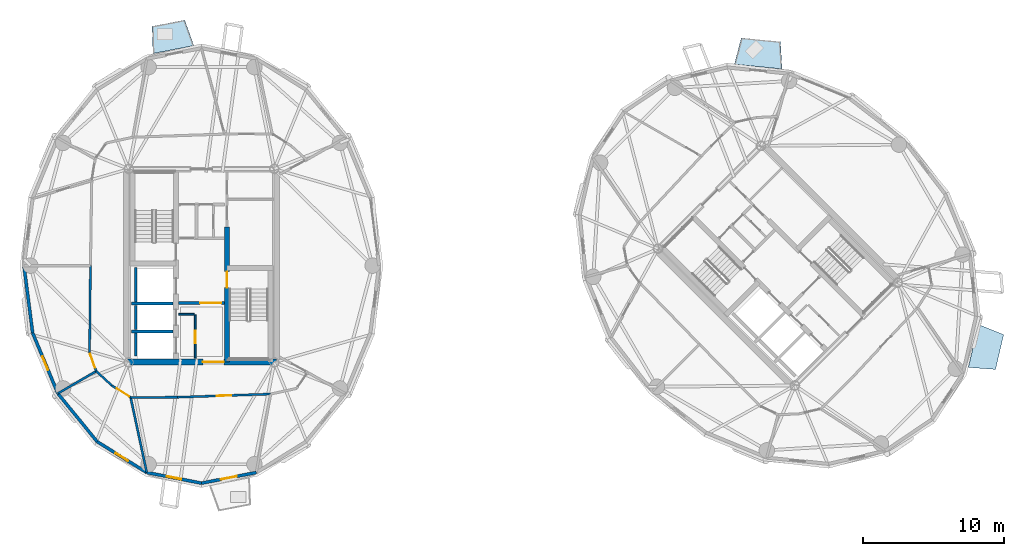
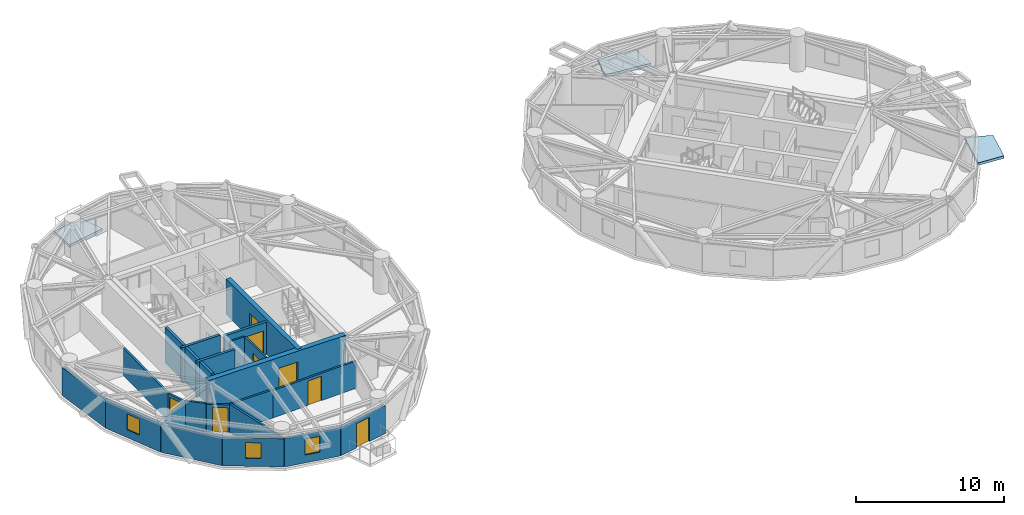
# One storey, part 8 of 17: 24 walls, 8 doors, 3 slabs, 3 windows, 11 openings.
"""IFC4 building model written with IfcOpenShell, lengths in metres."""

from ifc_helpers import new_model, si_unit, direction, frame, frame_2d, origin, place, context, subcontext, project, spatial, polyline, rectangle, outline, extrude, source, transform, mapped, material, layer, layer_set, type_object, element, fill, save


model = new_model("IFC4")

# Units and contexts
model_context = context("Model", 3, precision=1e-05, world=origin(), true_north=direction((0.0, 1.0)))
body_context = subcontext(model_context, "Body", "Model", "MODEL_VIEW")
ifc_project = project(units=[si_unit("LENGTHUNIT", "METRE"), si_unit("AREAUNIT", "SQUARE_METRE"), si_unit("VOLUMEUNIT", "CUBIC_METRE"), si_unit("PLANEANGLEUNIT", "RADIAN"), si_unit("MASSUNIT", "GRAM", prefix="KILO")], contexts=[model_context])

# Site, building, storey
site_placement = place(None, origin())
site = spatial("IfcSite", under=ifc_project, at=site_placement, CompositionType="ELEMENT")
building_placement = place(site_placement, origin())
building = spatial("IfcBuilding", under=site, at=building_placement, Name="Cununo Teusaquillo Station Towers", CompositionType="ELEMENT")
storey_placement = place(building_placement, frame((0.0, 0.0, 205.389892578125)))
storey = spatial("IfcBuildingStorey", under=building, at=storey_placement, Name="L65", CompositionType="ELEMENT", Elevation=205.389892578125)

# Slabs
ifc_material_1 = material(Name="Concrete C50/60", Category="concrete")
ifc_layer_1 = layer(ifc_material_1, 0.2099609375)
ifc_layer_set_1 = layer_set([ifc_layer_1], Name="Concrete C50/60")
slab_type = type_object("IfcSlabType", Name="SLB-BAL-210", PredefinedType="FLOOR", material=ifc_layer_set_1)
slab_1_placement = place(storey_placement, frame((0.0, 0.0, -0.2099609375)))
element("IfcSlab", 1, at=slab_1_placement, inside=storey, type_object=slab_type, Name="L65 Tower A Tree Balcony Slab 1", PredefinedType="FLOOR", context=body_context, shape_type="SweptSolid", body=[
    extrude(outline(polyline([(15.958984375, 40.150634765625), (13.0498046875, 39.58837890625), (12.98095703125, 41.525390625), (15.30126953125, 41.973876953125), (15.958984375, 40.150634765625)])), origin(), (0.0, 0.0, 1.0), 0.2099609375),
])
slab_2_placement = place(storey_placement, frame((0.0, 0.0, -0.2099609375)))
element("IfcSlab", 2, at=slab_2_placement, inside=storey, type_object=slab_type, Name="L65 Tower B Tree Balcony Slab 1", PredefinedType="FLOOR", context=body_context, shape_type="SweptSolid", body=[
    extrude(outline(polyline([(57.79248046875, 38.490478515625), (54.403564453125, 38.826416015625), (54.89111328125, 40.702392578125), (57.6826171875, 40.42578125), (57.79248046875, 38.490478515625)])), origin(), (0.0, 0.0, 1.0), 0.2099609375),
])
slab_3_placement = place(storey_placement, frame((0.0, 0.0, -0.2099609375)))
element("IfcSlab", 3, at=slab_3_placement, inside=storey, type_object=slab_type, Name="L65 Tower B Tree Balcony Slab 2", PredefinedType="FLOOR", context=body_context, shape_type="SweptSolid", body=[
    extrude(outline(polyline([(71.04248046875, 17.263671875), (71.755615234375, 20.319091796875), (73.55224609375, 19.591796875), (72.9755859375, 17.12060546875), (71.04248046875, 17.263671875)])), origin(), (0.0, 0.0, 1.0), 0.2099609375),
])

# Walls
ifc_material_2 = material(Name="Concrete C50/60", Category="concrete")
ifc_layer_2 = layer(ifc_material_2, 0.199951171875)
ifc_layer_set_2 = layer_set([ifc_layer_2], Name="Concrete C50/60")
wall_type_1 = type_object("IfcWallType", Name="WL-CORE-200", PredefinedType="SHEAR", material=ifc_layer_set_2)
wall_1_placement = place(storey_placement, frame((11.52001953125, 21.800048828125, 0.0), z_axis=(0.0, 0.0, 1.0), x_axis=(1.0, 0.0, 0.0)))
element("IfcWall", 4, at=wall_1_placement, inside=storey, type_object=wall_type_1, Name="L65 Tower A Firefighting Lift Shaft South Shear Wall", PredefinedType="SHEAR", context=body_context, shape_type="SweptSolid", body=[
    extrude(rectangle(XDim=2.969970703125, YDim=0.199951171875, at=frame_2d((1.48486328125, 0.0))), origin(), (0.0, 0.0, 1.0), 2.91015625),
])
wall_2_placement = place(storey_placement, frame((11.820068359375, 21.919921875, 0.0), z_axis=(0.0, 0.0, 1.0), x_axis=(0.0, 1.0, 0.0)))
element("IfcWall", 5, at=wall_2_placement, inside=storey, type_object=wall_type_1, Name="L65 Tower A Firefighting Lift Shaft Rear Shear Wall", PredefinedType="SHEAR", context=body_context, shape_type="SweptSolid", body=[
    extrude(rectangle(XDim=2.440185546875, YDim=0.199951171875, at=frame_2d((1.22021484375, 0.0))), origin(), (0.0, 0.0, 1.0), 2.91015625),
])
wall_3_placement = place(storey_placement, frame((11.52001953125, 19.824951171875, 0.0), z_axis=(0.0, 0.0, 1.0), x_axis=(1.0, 0.0, 0.0)))
element("IfcWall", 6, at=wall_3_placement, inside=storey, type_object=wall_type_1, Name="L65 Tower A High-Rise Lift Hoistway Divider Shear Wall", PredefinedType="SHEAR", context=body_context, shape_type="SweptSolid", body=[
    extrude(rectangle(XDim=2.969970703125, YDim=0.199951171875, at=frame_2d((1.48486328125, 0.0))), origin(), (0.0, 0.0, 1.0), 2.91015625),
])
wall_4_placement = place(storey_placement, frame((11.820068359375, 19.945068359375, 0.0), z_axis=(0.0, 0.0, 1.0), x_axis=(0.0, 1.0, 0.0)))
element("IfcWall", 7, at=wall_4_placement, inside=storey, type_object=wall_type_1, Name="L65 Tower A High-Rise Lift 2 Shaft Rear Shear Wall", PredefinedType="SHEAR", context=body_context, shape_type="SweptSolid", body=[
    extrude(rectangle(XDim=1.73486328125, YDim=0.199951171875, at=frame_2d((0.867431640625, 0.0))), origin(), (0.0, 0.0, 1.0), 2.91015625),
])
wall_5_placement = place(storey_placement, frame((11.820068359375, 18.070068359375, 0.0), z_axis=(0.0, 0.0, 1.0), x_axis=(0.0, 1.0, 0.0)))
element("IfcWall", 8, at=wall_5_placement, inside=storey, type_object=wall_type_1, Name="L65 Tower A High-Rise Lift 1 Shaft Rear Shear Wall", PredefinedType="SHEAR", context=body_context, shape_type="SweptSolid", body=[
    extrude(rectangle(XDim=1.635009765625, YDim=0.199951171875, at=frame_2d((0.8173828125, 0.0))), origin(), (0.0, 0.0, 1.0), 2.91015625),
])

# Wall, opening, door
ifc_material_3 = material(Name="Concrete C50/60", Category="concrete")
ifc_layer_3 = layer(ifc_material_3, 0.35009765625)
ifc_layer_set_3 = layer_set([ifc_layer_3], Name="Concrete C50/60")
wall_type_2 = type_object("IfcWallType", Name="WL-CORE-350", PredefinedType="SHEAR", material=ifc_layer_set_3)
wall_6_placement = place(storey_placement, frame((18.31494140625, 17.64990234375, 0.0), z_axis=(0.0, 0.0, 1.0), x_axis=(0.0, 1.0, 0.0)))
wall_6 = element("IfcWall", 9, at=wall_6_placement, inside=storey, type_object=wall_type_2, Name="L65 Tower A Core Shear Wall IE", PredefinedType="SHEAR", context=body_context, shape_type="SweptSolid", body=[
    extrude(rectangle(XDim=9.60009765625, YDim=0.35009765625, at=frame_2d((4.800048828125, 0.0))), origin(), (0.0, 0.0, 1.0), 2.91015625),
])
shared_shape_1 = source(origin(), body_context, "Body", "SweptSolid", [
    extrude(rectangle(XDim=1.14990234375, YDim=2.02001953125, at=frame_2d((0.574951171875, 1.010009765625))), frame((0.0, 0.18505859375, 0.0), z_axis=(0.0, -1.0, 0.0), x_axis=(1.0, 0.0, 0.0)), (0.0, 0.0, 1.0), 0.3701171875),
])
opening_1_placement = place(wall_6_placement, frame((5.280029296875, 0.0, 0.0)))
opening_1 = element("IfcOpeningElement", 10, at=opening_1_placement, cuts=wall_6, Name="Opening D-ST1", PredefinedType="OPENING", context=body_context, shape_type="MappedRepresentation", body=[
    mapped(shared_shape_1, transform((0.0, 0.0, 0.0), x_axis=(1.0, 0.0, 0.0), y_axis=(0.0, 1.0, 0.0), z_axis=(0.0, 0.0, 1.0), scale=1.0)),
])
ifc_material_4 = material(Name="Galvanised fire-rated hollow steel door assembly", Category="steel")
door_type_1 = type_object("IfcDoorType", Name="DR-STAIR-1150", OperationType="NOTDEFINED", PredefinedType="DOOR", material=ifc_material_4)
shared_shape_2 = source(origin(), body_context, "Body", "SweptSolid", [
    extrude(rectangle(XDim=1.14990234375, YDim=2.02001953125, at=frame_2d((0.574951171875, 1.010009765625))), frame((0.0, 0.02490234375, 0.0), z_axis=(0.0, -1.0, 0.0), x_axis=(1.0, 0.0, 0.0)), (0.0, 0.0, 1.0), 0.050048828125),
])
door_1_placement = place(opening_1_placement, origin())
door_1 = element("IfcDoor", 11, at=door_1_placement, inside=storey, type_object=door_type_1, Name="L65 Tower A Exit Stair 2 Fire Door", OperationType="SINGLE_SWING_LEFT", OverallHeight=2.02001953125, OverallWidth=1.14990234375, PredefinedType="DOOR", context=body_context, shape_type="MappedRepresentation", body=[
    mapped(shared_shape_2, transform((0.0, 0.0, 0.0), x_axis=(1.0, 0.0, 0.0), y_axis=(0.0, 1.0, 0.0), z_axis=(0.0, 0.0, 1.0), scale=1.0)),
])
fill(opening_1, door_1)

ifc_material_5 = material(Name="Concrete C50/60", Category="concrete")
ifc_layer_4 = layer(ifc_material_5, 0.39990234375)
ifc_layer_set_4 = layer_set([ifc_layer_4], Name="Concrete C50/60")
wall_type_3 = type_object("IfcWallType", Name="WL-CORE-400", PredefinedType="SHEAR", material=ifc_layer_set_4)
wall_7_placement = place(storey_placement, frame((11.14990234375, 17.64990234375, 0.0), z_axis=(0.0, 0.0, 1.0), x_axis=(1.0, 0.0, 0.0)))
wall_7 = element("IfcWall", 12, at=wall_7_placement, inside=storey, type_object=wall_type_3, Name="L65 Tower A Core Shear Wall S", PredefinedType="SHEAR", context=body_context, shape_type="SweptSolid", body=[
    extrude(rectangle(XDim=10.7001953125, YDim=0.39990234375, at=frame_2d((5.35009765625, 0.0))), origin(), (0.0, 0.0, 1.0), 2.91015625),
])
shared_shape_3 = source(origin(), body_context, "Body", "SweptSolid", [
    extrude(rectangle(XDim=1.5, YDim=2.02001953125, at=frame_2d((0.75, 1.010009765625))), frame((0.0, 0.2099609375, 0.0), z_axis=(0.0, -1.0, 0.0), x_axis=(1.0, 0.0, 0.0)), (0.0, 0.0, 1.0), 0.419921875),
])
opening_2_placement = place(wall_7_placement, frame((5.449951171875, 0.0, 0.0)))
opening_2 = element("IfcOpeningElement", 13, at=opening_2_placement, cuts=wall_7, Name="Opening D-LB1", PredefinedType="OPENING", context=body_context, shape_type="MappedRepresentation", body=[
    mapped(shared_shape_3, transform((0.0, 0.0, 0.0), x_axis=(1.0, 0.0, 0.0), y_axis=(0.0, 1.0, 0.0), z_axis=(0.0, 0.0, 1.0), scale=1.0)),
])
ifc_material_6 = material(Name="Galvanised fire-rated hollow steel door assembly", Category="steel")
door_type_2 = type_object("IfcDoorType", Name="DR-LOBBY-1500", OperationType="DOUBLE_DOOR_SINGLE_SWING", PredefinedType="DOOR", material=ifc_material_6)
shared_shape_4 = source(origin(), body_context, "Body", "SweptSolid", [
    extrude(rectangle(XDim=1.5, YDim=2.02001953125, at=frame_2d((0.75, 1.010009765625))), frame((0.0, 0.02490234375, 0.0), z_axis=(0.0, -1.0, 0.0), x_axis=(1.0, 0.0, 0.0)), (0.0, 0.0, 1.0), 0.050048828125),
])
door_2_placement = place(opening_2_placement, origin())
door_2 = element("IfcDoor", 14, at=door_2_placement, inside=storey, type_object=door_type_2, Name="L65 Tower A South Core Lift Lobby Door", OperationType="DOUBLE_DOOR_SINGLE_SWING", OverallHeight=2.02001953125, OverallWidth=1.5, PredefinedType="DOOR", context=body_context, shape_type="MappedRepresentation", body=[
    mapped(shared_shape_4, transform((0.0, 0.0, 0.0), x_axis=(1.0, 0.0, 0.0), y_axis=(0.0, 1.0, 0.0), z_axis=(0.0, 0.0, 1.0), scale=1.0)),
])
fill(opening_2, door_2)

# Wall
ifc_material_7 = material(Name="Precast concrete C40/50", Category="concrete")
ifc_layer_5 = layer(ifc_material_7, 0.219970703125)
ifc_layer_set_5 = layer_set([ifc_layer_5], Name="Precast concrete C40/50")
wall_type_4 = type_object("IfcWallType", Name="WL-EXT-220", PredefinedType="SOLIDWALL", material=ifc_layer_set_5)
wall_8_placement = place(storey_placement, frame((4.48828125, 19.719482421875, 0.0), z_axis=(0.0, 0.0, 1.0), x_axis=(-0.128241318541, 0.991742993027, 0.0)))
element("IfcWall", 15, at=wall_8_placement, inside=storey, type_object=wall_type_4, Name="L65 Tower A Exterior Facade Wall C10", PredefinedType="SOLIDWALL", context=body_context, shape_type="SweptSolid", body=[
    extrude(rectangle(XDim=4.8203125, YDim=0.219970703125, at=frame_2d((2.41015625, 0.0))), origin(), (0.0, 0.0, 1.0), 2.322021484375),
])

# Wall, opening, window
wall_9_placement = place(storey_placement, frame((6.281982421875, 15.406982421875, 0.0), z_axis=(0.0, 0.0, 1.0), x_axis=(-0.384036305194, 0.923317993052, 0.0)))
wall_9 = element("IfcWall", 16, at=wall_9_placement, inside=storey, type_object=wall_type_4, Name="L65 Tower A Exterior Facade Wall C11", PredefinedType="SOLIDWALL", context=body_context, shape_type="SweptSolid", body=[
    extrude(rectangle(XDim=4.670654296875, YDim=0.219970703125, at=frame_2d((2.33544921875, 0.0))), origin(), (0.0, 0.0, 1.0), 2.322021484375),
])
shared_shape_5 = source(origin(), body_context, "Body", "SweptSolid", [
    extrude(rectangle(XDim=1.050048828125, YDim=1.300048828125, at=frame_2d((0.52490234375, 0.64990234375))), frame((0.0, 0.119873046875, 0.0), z_axis=(0.0, -1.0, 0.0), x_axis=(1.0, 0.0, 0.0)), (0.0, 0.0, 1.0), 0.239990234375),
])
opening_3_placement = place(wall_9_placement, frame((1.81005859375, 0.0, 0.64990234375)))
opening_3 = element("IfcOpeningElement", 17, at=opening_3_placement, cuts=wall_9, Name="Opening WN-04", PredefinedType="OPENING", context=body_context, shape_type="MappedRepresentation", body=[
    mapped(shared_shape_5, transform((0.0, 0.0, 0.0), x_axis=(1.0, 0.0, 0.0), y_axis=(0.0, 1.0, 0.0), z_axis=(0.0, 0.0, 1.0), scale=1.0)),
])
ifc_material_8 = material(Name="Operable acoustic tinted low-E double glazing", Category="glass")
window_type = type_object("IfcWindowType", Name="WIN-BAL-1050", PartitioningType="SINGLE_PANEL", PredefinedType="WINDOW", material=ifc_material_8)
shared_shape_6 = source(origin(), body_context, "Body", "SweptSolid", [
    extrude(rectangle(XDim=1.050048828125, YDim=1.300048828125, at=frame_2d((0.52490234375, 0.64990234375))), frame((0.0, 0.030029296875, 0.0), z_axis=(0.0, -1.0, 0.0), x_axis=(1.0, 0.0, 0.0)), (0.0, 0.0, 1.0), 0.06005859375),
])
window_1_placement = place(opening_3_placement, origin())
window_1 = element("IfcWindow", 18, at=window_1_placement, inside=storey, type_object=window_type, Name="L65 Tower A Facade Window C11", OverallHeight=1.300048828125, OverallWidth=1.050048828125, PartitioningType="SINGLE_PANEL", PredefinedType="WINDOW", context=body_context, shape_type="MappedRepresentation", body=[
    mapped(shared_shape_6, transform((0.0, 0.0, 0.0), x_axis=(1.0, 0.0, 0.0), y_axis=(0.0, 1.0, 0.0), z_axis=(0.0, 0.0, 1.0), scale=1.0)),
])
fill(opening_3, window_1)

# Wall
wall_10_placement = place(storey_placement, frame((9.076416015625, 11.984619140625, 0.0), z_axis=(0.0, 0.0, 1.0), x_axis=(-0.632467166636, 0.774587169483, 0.0)))
element("IfcWall", 19, at=wall_10_placement, inside=storey, type_object=wall_type_4, Name="L65 Tower A Exterior Facade Wall C12", PredefinedType="SOLIDWALL", context=body_context, shape_type="SweptSolid", body=[
    extrude(rectangle(XDim=4.418212890625, YDim=0.219970703125, at=frame_2d((2.208984375, 0.0))), origin(), (0.0, 0.0, 1.0), 2.322021484375),
])

# Wall, opening, window
wall_11_placement = place(storey_placement, frame((12.59716796875, 9.787109375, 0.0), z_axis=(0.0, 0.0, 1.0), x_axis=(-0.848318713376, 0.529485939886, 0.0)))
wall_11 = element("IfcWall", 20, at=wall_11_placement, inside=storey, type_object=wall_type_4, Name="L65 Tower A Exterior Facade Wall C13", PredefinedType="SOLIDWALL", context=body_context, shape_type="SweptSolid", body=[
    extrude(rectangle(XDim=4.150390625, YDim=0.219970703125, at=frame_2d((2.0751953125, 0.0))), origin(), (0.0, 0.0, 1.0), 2.322021484375),
])
opening_4_placement = place(wall_11_placement, frame((1.550048828125, 0.0, 0.64990234375)))
opening_4 = element("IfcOpeningElement", 21, at=opening_4_placement, cuts=wall_11, Name="Opening WN-04", PredefinedType="OPENING", context=body_context, shape_type="MappedRepresentation", body=[
    mapped(shared_shape_5, transform((0.0, 0.0, 0.0), x_axis=(1.0, 0.0, 0.0), y_axis=(0.0, 1.0, 0.0), z_axis=(0.0, 0.0, 1.0), scale=1.0)),
])
window_2_placement = place(opening_4_placement, origin())
window_2 = element("IfcWindow", 22, at=window_2_placement, inside=storey, type_object=window_type, Name="L65 Tower A Facade Window C13", OverallHeight=1.300048828125, OverallWidth=1.050048828125, PartitioningType="SINGLE_PANEL", PredefinedType="WINDOW", context=body_context, shape_type="MappedRepresentation", body=[
    mapped(shared_shape_6, transform((0.0, 0.0, 0.0), x_axis=(1.0, 0.0, 0.0), y_axis=(0.0, 1.0, 0.0), z_axis=(0.0, 0.0, 1.0), scale=1.0)),
])
fill(opening_4, window_2)

wall_12_placement = place(storey_placement, frame((16.5, 9.030029296875, 0.0), z_axis=(0.0, 0.0, 1.0), x_axis=(-0.981700307484, 0.190432419211, 0.0)))
wall_12 = element("IfcWall", 23, at=wall_12_placement, inside=storey, type_object=wall_type_4, Name="L65 Tower A Exterior Facade Wall C14", PredefinedType="SOLIDWALL", context=body_context, shape_type="SweptSolid", body=[
    extrude(rectangle(XDim=3.9755859375, YDim=0.219970703125, at=frame_2d((1.98779296875, 0.0))), origin(), (0.0, 0.0, 1.0), 2.322021484375),
])
opening_5_placement = place(wall_12_placement, frame((1.462890625, 0.0, 0.64990234375)))
opening_5 = element("IfcOpeningElement", 24, at=opening_5_placement, cuts=wall_12, Name="Opening WN-04", PredefinedType="OPENING", context=body_context, shape_type="MappedRepresentation", body=[
    mapped(shared_shape_5, transform((0.0, 0.0, 0.0), x_axis=(1.0, 0.0, 0.0), y_axis=(0.0, 1.0, 0.0), z_axis=(0.0, 0.0, 1.0), scale=1.0)),
])
window_3_placement = place(opening_5_placement, origin())
window_3 = element("IfcWindow", 25, at=window_3_placement, inside=storey, type_object=window_type, Name="L65 Tower A Facade Window C14", OverallHeight=1.300048828125, OverallWidth=1.050048828125, PartitioningType="SINGLE_PANEL", PredefinedType="WINDOW", context=body_context, shape_type="MappedRepresentation", body=[
    mapped(shared_shape_6, transform((0.0, 0.0, 0.0), x_axis=(1.0, 0.0, 0.0), y_axis=(0.0, 1.0, 0.0), z_axis=(0.0, 0.0, 1.0), scale=1.0)),
])
fill(opening_5, window_3)

# Wall, opening, door
wall_13_placement = place(storey_placement, frame((20.40283203125, 9.787109375, 0.0), z_axis=(0.0, 0.0, 1.0), x_axis=(-0.981700307484, -0.190432419211, 0.0)))
wall_13 = element("IfcWall", 26, at=wall_13_placement, inside=storey, type_object=wall_type_4, Name="L65 Tower A Exterior Facade Wall C15", PredefinedType="SOLIDWALL", context=body_context, shape_type="SweptSolid", body=[
    extrude(rectangle(XDim=3.9755859375, YDim=0.219970703125, at=frame_2d((1.98779296875, 0.0))), origin(), (0.0, 0.0, 1.0), 2.322021484375),
])
shared_shape_7 = source(origin(), body_context, "Body", "SweptSolid", [
    extrude(rectangle(XDim=1.14990234375, YDim=2.0048828125, at=frame_2d((0.574951171875, 1.00244140625))), frame((0.0, 0.119873046875, 0.0), z_axis=(0.0, -1.0, 0.0), x_axis=(1.0, 0.0, 0.0)), (0.0, 0.0, 1.0), 0.239990234375),
])
opening_6_placement = place(wall_13_placement, frame((1.4130859375, 0.0, 0.0)))
opening_6 = element("IfcOpeningElement", 27, at=opening_6_placement, cuts=wall_13, Name="Opening ED-03", PredefinedType="OPENING", context=body_context, shape_type="MappedRepresentation", body=[
    mapped(shared_shape_7, transform((0.0, 0.0, 0.0), x_axis=(1.0, 0.0, 0.0), y_axis=(0.0, 1.0, 0.0), z_axis=(0.0, 0.0, 1.0), scale=1.0)),
])
ifc_material_9 = material(Name="Anodised dark bronze aluminium EN AW-6063-T6", Category="aluminium")
door_type_3 = type_object("IfcDoorType", Name="DR-EXT-BAL", OperationType="NOTDEFINED", PredefinedType="DOOR", material=ifc_material_9)
shared_shape_8 = source(origin(), body_context, "Body", "SweptSolid", [
    extrude(rectangle(XDim=1.14990234375, YDim=2.0048828125, at=frame_2d((0.574951171875, 1.00244140625))), frame((0.0, 0.02490234375, 0.0), z_axis=(0.0, -1.0, 0.0), x_axis=(1.0, 0.0, 0.0)), (0.0, 0.0, 1.0), 0.050048828125),
])
door_3_placement = place(opening_6_placement, origin())
door_3 = element("IfcDoor", 28, at=door_3_placement, inside=storey, type_object=door_type_3, Name="L65 Tower A Tree Balcony Door C15", OperationType="SINGLE_SWING_LEFT", OverallHeight=2.0048828125, OverallWidth=1.14990234375, PredefinedType="DOOR", context=body_context, shape_type="MappedRepresentation", body=[
    mapped(shared_shape_8, transform((0.0, 0.0, 0.0), x_axis=(1.0, 0.0, 0.0), y_axis=(0.0, 1.0, 0.0), z_axis=(0.0, 0.0, 1.0), scale=1.0)),
])
fill(opening_6, door_3)

ifc_material_10 = material(Name="Fire-rated gypsum plasterboard partition assembly", Category="gypsum")
ifc_layer_6 = layer(ifc_material_10, 0.125)
ifc_layer_set_6 = layer_set([ifc_layer_6], Name="Fire-rated gypsum plasterboard partition assembly")
wall_type_5 = type_object("IfcWallType", Name="WL-PART-125", PredefinedType="PARTITIONING", material=ifc_layer_set_6)
wall_14_placement = place(storey_placement, frame((16.050048828125, 17.919921875, 0.0), z_axis=(0.0, 0.0, 1.0), x_axis=(0.0, 1.0, 0.0)))
wall_14 = element("IfcWall", 29, at=wall_14_placement, inside=storey, type_object=wall_type_5, Name="L65 Tower A South-West Tall Store East Wall", PredefinedType="PARTITIONING", context=body_context, shape_type="SweptSolid", body=[
    extrude(rectangle(XDim=3.080078125, YDim=0.125, at=frame_2d((1.5400390625, 0.0))), origin(), (0.0, 0.0, 1.0), 2.68505859375),
])
shared_shape_9 = source(origin(), body_context, "Body", "SweptSolid", [
    extrude(rectangle(XDim=0.89990234375, YDim=2.0048828125, at=frame_2d((0.449951171875, 1.00244140625))), frame((0.0, 0.072509765625, 0.0), z_axis=(0.0, -1.0, 0.0), x_axis=(1.0, 0.0, 0.0)), (0.0, 0.0, 1.0), 0.14501953125),
])
opening_7_placement = place(wall_14_placement, frame((1.050048828125, 0.0, 0.0)))
opening_7 = element("IfcOpeningElement", 30, at=opening_7_placement, cuts=wall_14, Name="Opening D-SR1", PredefinedType="OPENING", context=body_context, shape_type="MappedRepresentation", body=[
    mapped(shared_shape_9, transform((0.0, 0.0, 0.0), x_axis=(1.0, 0.0, 0.0), y_axis=(0.0, 1.0, 0.0), z_axis=(0.0, 0.0, 1.0), scale=1.0)),
])
ifc_material_11 = material(Name="Galvanised fire-rated hollow steel door assembly", Category="steel")
door_type_4 = type_object("IfcDoorType", Name="DR-STORE-900", OperationType="NOTDEFINED", PredefinedType="DOOR", material=ifc_material_11)
shared_shape_10 = source(origin(), body_context, "Body", "SweptSolid", [
    extrude(rectangle(XDim=0.89990234375, YDim=2.0048828125, at=frame_2d((0.449951171875, 1.00244140625))), frame((0.0, 0.02490234375, 0.0), z_axis=(0.0, -1.0, 0.0), x_axis=(1.0, 0.0, 0.0)), (0.0, 0.0, 1.0), 0.050048828125),
])
door_4_placement = place(opening_7_placement, origin())
door_4 = element("IfcDoor", 31, at=door_4_placement, inside=storey, type_object=door_type_4, Name="L65 Tower A South Cleaners Store Door", OperationType="SINGLE_SWING_RIGHT", OverallHeight=2.0048828125, OverallWidth=0.89990234375, PredefinedType="DOOR", context=body_context, shape_type="MappedRepresentation", body=[
    mapped(shared_shape_10, transform((0.0, 0.0, 0.0), x_axis=(1.0, 0.0, 0.0), y_axis=(0.0, 1.0, 0.0), z_axis=(0.0, 0.0, 1.0), scale=1.0)),
])
fill(opening_7, door_4)

# Walls
wall_15_placement = place(storey_placement, frame((14.8798828125, 21.050048828125, 0.0), z_axis=(0.0, 0.0, 1.0), x_axis=(1.0, 0.0, 0.0)))
element("IfcWall", 32, at=wall_15_placement, inside=storey, type_object=wall_type_5, Name="L65 Tower A South-West Tall Store North Wall", PredefinedType="PARTITIONING", context=body_context, shape_type="SweptSolid", body=[
    extrude(rectangle(XDim=1.10009765625, YDim=0.125, at=frame_2d((0.550048828125, 0.0))), origin(), (0.0, 0.0, 1.0), 2.68505859375),
])
ifc_material_12 = material(Name="Fire-rated gypsum plasterboard partition assembly", Category="gypsum")
ifc_layer_7 = layer(ifc_material_12, 0.14990234375)
ifc_layer_set_7 = layer_set([ifc_layer_7], Name="Fire-rated gypsum plasterboard partition assembly")
wall_type_6 = type_object("IfcWallType", Name="WL-PART-150", PredefinedType="PARTITIONING", material=ifc_layer_set_7)
wall_16_placement = place(storey_placement, frame((8.60009765625, 24.5, 0.0), z_axis=(0.0, 0.0, 1.0), x_axis=(-0.010023665349, -0.999949761805, 0.0)))
element("IfcWall", 33, at=wall_16_placement, inside=storey, type_object=wall_type_6, Name="L65 Tower A Corridor Ring Wall C10", PredefinedType="PARTITIONING", context=body_context, shape_type="SweptSolid", body=[
    extrude(rectangle(XDim=6.162109375, YDim=0.14990234375, at=frame_2d((3.0810546875, 0.0))), origin(), (0.0, 0.0, 1.0), 2.255126953125),
])

# Wall, opening, door
wall_17_placement = place(storey_placement, frame((8.538330078125, 18.338134765625, 0.0), z_axis=(0.0, 0.0, 1.0), x_axis=(0.331358150167, -0.94350504838, 0.0)))
wall_17 = element("IfcWall", 34, at=wall_17_placement, inside=storey, type_object=wall_type_6, Name="L65 Tower A Corridor Ring Wall C11", PredefinedType="PARTITIONING", context=body_context, shape_type="SweptSolid", body=[
    extrude(rectangle(XDim=1.42431640625, YDim=0.14990234375, at=frame_2d((0.712158203125, 0.0))), origin(), (0.0, 0.0, 1.0), 2.255126953125),
])
shared_shape_11 = source(origin(), body_context, "Body", "SweptSolid", [
    extrude(rectangle(XDim=1.050048828125, YDim=2.014892578125, at=frame_2d((0.52490234375, 1.00732421875))), frame((0.0, 0.0849609375, 0.0), z_axis=(0.0, -1.0, 0.0), x_axis=(1.0, 0.0, 0.0)), (0.0, 0.0, 1.0), 0.169921875),
])
opening_8_placement = place(wall_17_placement, frame((0.1201171875, 0.0, 0.0)))
opening_8 = element("IfcOpeningElement", 35, at=opening_8_placement, cuts=wall_17, Name="Opening D-SU1", PredefinedType="OPENING", context=body_context, shape_type="MappedRepresentation", body=[
    mapped(shared_shape_11, transform((0.0, 0.0, 0.0), x_axis=(1.0, 0.0, 0.0), y_axis=(0.0, 1.0, 0.0), z_axis=(0.0, 0.0, 1.0), scale=1.0)),
])
ifc_material_13 = material(Name="Acoustic solid-core hardwood leaf assembly", Category="wood")
door_type_5 = type_object("IfcDoorType", Name="DR-SUITE-1050", OperationType="NOTDEFINED", PredefinedType="DOOR", material=ifc_material_13)
shared_shape_12 = source(origin(), body_context, "Body", "SweptSolid", [
    extrude(rectangle(XDim=1.050048828125, YDim=2.014892578125, at=frame_2d((0.52490234375, 1.00732421875))), frame((0.0, 0.02490234375, 0.0), z_axis=(0.0, -1.0, 0.0), x_axis=(1.0, 0.0, 0.0)), (0.0, 0.0, 1.0), 0.050048828125),
])
door_5_placement = place(opening_8_placement, origin())
door_5 = element("IfcDoor", 36, at=door_5_placement, inside=storey, type_object=door_type_5, Name="L65 Tower A Fellows Research Library Entrance Door", OperationType="SINGLE_SWING_LEFT", OverallHeight=2.014892578125, OverallWidth=1.050048828125, PredefinedType="DOOR", context=body_context, shape_type="MappedRepresentation", body=[
    mapped(shared_shape_12, transform((0.0, 0.0, 0.0), x_axis=(1.0, 0.0, 0.0), y_axis=(0.0, 1.0, 0.0), z_axis=(0.0, 0.0, 1.0), scale=1.0)),
])
fill(opening_8, door_5)

# Wall
wall_18_placement = place(storey_placement, frame((9.01025390625, 16.994384765625, 0.0), z_axis=(0.0, 0.0, 1.0), x_axis=(0.737701798986, -0.67512669609, 0.0)))
element("IfcWall", 37, at=wall_18_placement, inside=storey, type_object=wall_type_6, Name="L65 Tower A Corridor Ring Wall C12", PredefinedType="PARTITIONING", context=body_context, shape_type="SweptSolid", body=[
    extrude(rectangle(XDim=1.498291015625, YDim=0.14990234375, at=frame_2d((0.7490234375, 0.0))), origin(), (0.0, 0.0, 1.0), 2.322021484375),
])

# Wall, opening, door
wall_19_placement = place(storey_placement, frame((10.115478515625, 15.98291015625, 0.0), z_axis=(0.0, 0.0, 1.0), x_axis=(0.843995849351, -0.536349705209, 0.0)))
wall_19 = element("IfcWall", 38, at=wall_19_placement, inside=storey, type_object=wall_type_6, Name="L65 Tower A Corridor Ring Wall C13", PredefinedType="PARTITIONING", context=body_context, shape_type="SweptSolid", body=[
    extrude(rectangle(XDim=1.5927734375, YDim=0.14990234375, at=frame_2d((0.79638671875, 0.0))), origin(), (0.0, 0.0, 1.0), 2.255126953125),
])
opening_9_placement = place(wall_19_placement, frame((0.422607421875, 0.0, 0.0)))
opening_9 = element("IfcOpeningElement", 39, at=opening_9_placement, cuts=wall_19, Name="Opening D-SU1", PredefinedType="OPENING", context=body_context, shape_type="MappedRepresentation", body=[
    mapped(shared_shape_11, transform((0.0, 0.0, 0.0), x_axis=(1.0, 0.0, 0.0), y_axis=(0.0, 1.0, 0.0), z_axis=(0.0, 0.0, 1.0), scale=1.0)),
])
door_6_placement = place(opening_9_placement, origin())
door_6 = element("IfcDoor", 40, at=door_6_placement, inside=storey, type_object=door_type_5, Name="L65 Tower A Summit Catering Pantry Entrance Door", OperationType="SINGLE_SWING_RIGHT", OverallHeight=2.014892578125, OverallWidth=1.050048828125, PredefinedType="DOOR", context=body_context, shape_type="MappedRepresentation", body=[
    mapped(shared_shape_12, transform((0.0, 0.0, 0.0), x_axis=(1.0, 0.0, 0.0), y_axis=(0.0, 1.0, 0.0), z_axis=(0.0, 0.0, 1.0), scale=1.0)),
])
fill(opening_9, door_6)

# Wall
wall_20_placement = place(storey_placement, frame((11.459716796875, 15.128662109375, 0.0), z_axis=(0.0, 0.0, 1.0), x_axis=(0.999993513287, 0.003601858435, 0.0)))
element("IfcWall", 41, at=wall_20_placement, inside=storey, type_object=wall_type_6, Name="L65 Tower A Corridor Ring Wall C14", PredefinedType="PARTITIONING", context=body_context, shape_type="SweptSolid", body=[
    extrude(rectangle(XDim=3.3212890625, YDim=0.14990234375, at=frame_2d((1.66064453125, 0.0))), origin(), (0.0, 0.0, 1.0), 2.322021484375),
])

# Wall, opening, door
wall_21_placement = place(storey_placement, frame((14.781005859375, 15.140625, 0.0), z_axis=(0.0, 0.0, 1.0), x_axis=(0.999407918707, 0.034406569513, 0.0)))
wall_21 = element("IfcWall", 42, at=wall_21_placement, inside=storey, type_object=wall_type_6, Name="L65 Tower A Corridor Ring Wall C15", PredefinedType="PARTITIONING", context=body_context, shape_type="SweptSolid", body=[
    extrude(rectangle(XDim=6.6416015625, YDim=0.14990234375, at=frame_2d((3.32080078125, 0.0))), origin(), (0.0, 0.0, 1.0), 2.255126953125),
])
opening_10_placement = place(wall_21_placement, frame((2.7958984375, 0.0, 0.0)))
opening_10 = element("IfcOpeningElement", 43, at=opening_10_placement, cuts=wall_21, Name="Opening D-SU1", PredefinedType="OPENING", context=body_context, shape_type="MappedRepresentation", body=[
    mapped(shared_shape_11, transform((0.0, 0.0, 0.0), x_axis=(1.0, 0.0, 0.0), y_axis=(0.0, 1.0, 0.0), z_axis=(0.0, 0.0, 1.0), scale=1.0)),
])
door_7_placement = place(opening_10_placement, origin())
door_7 = element("IfcDoor", 44, at=door_7_placement, inside=storey, type_object=door_type_5, Name="L65 Tower A Protocol Archive Room Entrance Door", OperationType="SINGLE_SWING_LEFT", OverallHeight=2.014892578125, OverallWidth=1.050048828125, PredefinedType="DOOR", context=body_context, shape_type="MappedRepresentation", body=[
    mapped(shared_shape_12, transform((0.0, 0.0, 0.0), x_axis=(1.0, 0.0, 0.0), y_axis=(0.0, 1.0, 0.0), z_axis=(0.0, 0.0, 1.0), scale=1.0)),
])
fill(opening_10, door_7)

# Walls
ifc_material_14 = material(Name="Fire-rated gypsum plasterboard partition assembly", Category="gypsum")
ifc_layer_8 = layer(ifc_material_14, 0.159912109375)
ifc_layer_set_8 = layer_set([ifc_layer_8], Name="Fire-rated gypsum plasterboard partition assembly")
wall_type_7 = type_object("IfcWallType", Name="WL-PART-160", PredefinedType="PARTITIONING", material=ifc_layer_set_8)
wall_22_placement = place(storey_placement, frame((9.01025390625, 16.994384765625, 0.0), z_axis=(0.0, 0.0, 1.0), x_axis=(-0.864647164532, -0.502379618283, 0.0)))
element("IfcWall", 45, at=wall_22_placement, inside=storey, type_object=wall_type_7, Name="L65 Tower A Radial Suite Partition R06", PredefinedType="PARTITIONING", context=body_context, shape_type="SweptSolid", body=[
    extrude(rectangle(XDim=3.136474609375, YDim=0.159912109375, at=frame_2d((1.568359375, 0.0))), origin(), (0.0, 0.0, 1.0), 2.322021484375),
])
wall_23_placement = place(storey_placement, frame((11.459716796875, 15.128662109375, 0.0), z_axis=(0.0, 0.0, 1.0), x_axis=(0.210058897642, -0.977688733453, 0.0)))
element("IfcWall", 46, at=wall_23_placement, inside=storey, type_object=wall_type_7, Name="L65 Tower A Radial Suite Partition R07", PredefinedType="PARTITIONING", context=body_context, shape_type="SweptSolid", body=[
    extrude(rectangle(XDim=5.444091796875, YDim=0.159912109375, at=frame_2d((2.72216796875, 0.0))), origin(), (0.0, 0.0, 1.0), 2.322021484375),
])

# Wall, opening, door
ifc_material_15 = material(Name="Fire-rated gypsum plasterboard partition assembly", Category="gypsum")
ifc_layer_9 = layer(ifc_material_15, 0.199951171875)
ifc_layer_set_9 = layer_set([ifc_layer_9], Name="Fire-rated gypsum plasterboard partition assembly")
wall_type_8 = type_object("IfcWallType", Name="WL-PART-200", PredefinedType="PARTITIONING", material=ifc_layer_set_9)
wall_24_placement = place(storey_placement, frame((14.860107421875, 21.85009765625, 0.0), z_axis=(0.0, 0.0, 1.0), x_axis=(1.0, 0.0, 0.0)))
wall_24 = element("IfcWall", 47, at=wall_24_placement, inside=storey, type_object=wall_type_8, Name="L65 Tower A Firefighting Lift Lobby South Fire Wall", PredefinedType="PARTITIONING", context=body_context, shape_type="SweptSolid", body=[
    extrude(rectangle(XDim=3.27978515625, YDim=0.199951171875, at=frame_2d((1.639892578125, 0.0))), origin(), (0.0, 0.0, 1.0), 2.68505859375),
])
shared_shape_13 = source(origin(), body_context, "Body", "SweptSolid", [
    extrude(rectangle(XDim=1.5, YDim=2.02001953125, at=frame_2d((0.75, 1.010009765625))), frame((0.0, 0.10986328125, 0.0), z_axis=(0.0, -1.0, 0.0), x_axis=(1.0, 0.0, 0.0)), (0.0, 0.0, 1.0), 0.219970703125),
])
opening_11_placement = place(wall_24_placement, frame((1.550048828125, 0.0, 0.0)))
opening_11 = element("IfcOpeningElement", 48, at=opening_11_placement, cuts=wall_24, Name="Opening D-LB1", PredefinedType="OPENING", context=body_context, shape_type="MappedRepresentation", body=[
    mapped(shared_shape_13, transform((0.0, 0.0, 0.0), x_axis=(1.0, 0.0, 0.0), y_axis=(0.0, 1.0, 0.0), z_axis=(0.0, 0.0, 1.0), scale=1.0)),
])
door_8_placement = place(opening_11_placement, origin())
door_8 = element("IfcDoor", 49, at=door_8_placement, inside=storey, type_object=door_type_2, Name="L65 Tower A Firefighting Lift Lobby South Fire Door", OperationType="DOUBLE_DOOR_SINGLE_SWING", OverallHeight=2.02001953125, OverallWidth=1.5, PredefinedType="DOOR", context=body_context, shape_type="MappedRepresentation", body=[
    mapped(shared_shape_4, transform((0.0, 0.0, 0.0), x_axis=(1.0, 0.0, 0.0), y_axis=(0.0, 1.0, 0.0), z_axis=(0.0, 0.0, 1.0), scale=1.0)),
])
fill(opening_11, door_8)

save(model, "model.ifc")
